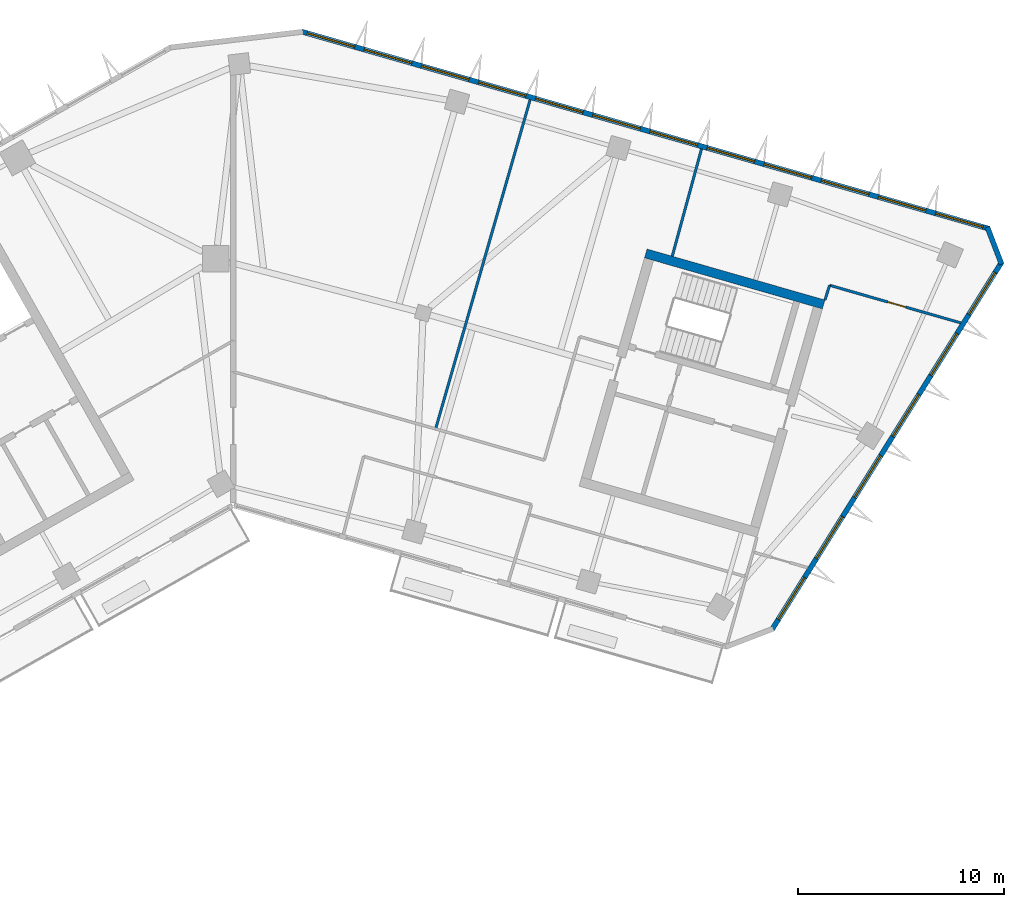
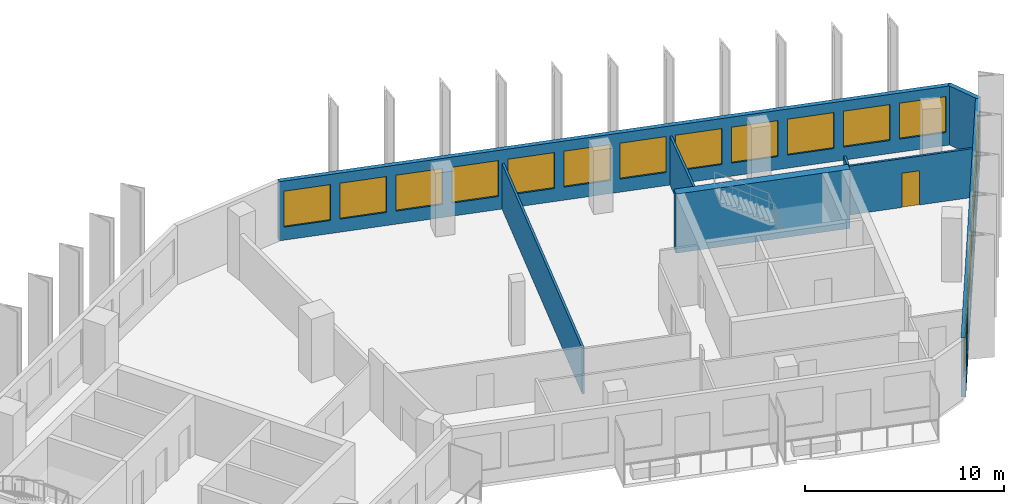
# One storey, part 8 of 12: 18 windows, 8 walls, 1 door, 19 openings.
"""IFC4 building model written with IfcOpenShell, lengths in metres."""

import ifcopenshell
import ifcopenshell.guid

model = None  # the IFC model being written
_history = None  # IfcOwnerHistory: only IFC2X3 demands one
_inside = {}  # id of a spatial element -> (the spatial element, [elements in it])
_under = {}  # id of a project, library or spatial element -> (it, [spatial elements below it])
_declared = {}  # id of a project -> (the project, [libraries it declares])
_typed = {}  # id of a type object -> (the type object, [elements of that type])
_made_of = {}  # id of a material, layer set ... -> (it, [elements and type objects made of it])


def new_model(schema):
    """Start an empty IFC model of exactly this schema.

    Asked for "IFC4X3", IfcOpenShell would pick the latest addendum, in which some entities
    have other attributes; the version numbers below select the first issue.
    IFC2X3 requires an IfcOwnerHistory on every rooted entity: one is made here for all.
    """
    global model, _history
    if schema == "IFC4X3":
        model = ifcopenshell.file(schema_version=(4, 3, 0, 0))
    else:
        model = ifcopenshell.file(schema=schema)
    _inside.clear()
    _under.clear()
    _declared.clear()
    _typed.clear()
    _made_of.clear()
    _history = None
    if model.schema == "IFC2X3":
        org = make("IfcOrganization", Name="unknown")
        user = make(
            "IfcPersonAndOrganization",
            ThePerson=make("IfcPerson", FamilyName="unknown"),
            TheOrganization=org,
        )
        app = make(
            "IfcApplication",
            ApplicationDeveloper=org,
            Version="unknown",
            ApplicationFullName="unknown",
            ApplicationIdentifier="unknown",
        )
        _history = make(
            "IfcOwnerHistory",
            OwningUser=user,
            OwningApplication=app,
            ChangeAction="ADDED",
            CreationDate=0,
        )
    return model


def make(cls, **values):
    """One entity of the class cls with the attributes given. An attribute that is None is left unset."""
    return model.create_entity(
        cls, **{name: value for name, value in values.items() if value is not None}
    )


def rooted(cls, **values):
    """An entity with a GlobalId (a new one), such as an element, a storey or a relation."""
    return make(cls, GlobalId=ifcopenshell.guid.new(), OwnerHistory=_history, **values)


def si_unit(unit_type, name, prefix=None):
    """IfcSIUnit, for example si_unit("LENGTHUNIT", "METRE", prefix="MILLI")."""
    return make("IfcSIUnit", UnitType=unit_type, Prefix=prefix, Name=name)


def assignment(units):
    """IfcUnitAssignment: the units of a project."""
    return None if units is None else make("IfcUnitAssignment", Units=units)


def point(xyz):
    """IfcCartesianPoint."""
    return None if xyz is None else make("IfcCartesianPoint", Coordinates=xyz)


def direction(xyz):
    """IfcDirection."""
    return None if xyz is None else make("IfcDirection", DirectionRatios=xyz)


def frame(location, z_axis=None, x_axis=None):
    """IfcAxis2Placement3D, a coordinate frame: its origin and axes. An axis left out is left unset."""
    return make(
        "IfcAxis2Placement3D",
        Location=point(location),
        Axis=direction(z_axis),
        RefDirection=direction(x_axis),
    )


def frame_2d(location, x_axis=None):
    """IfcAxis2Placement2D, a coordinate frame in the plane: its origin and x axis."""
    return make(
        "IfcAxis2Placement2D", Location=point(location), RefDirection=direction(x_axis)
    )


def origin():
    """The frame at (0, 0, 0) with its axes left unset."""
    return frame((0.0, 0.0, 0.0))


def place(relative_to, where):
    """IfcLocalPlacement: puts the frame where relative to a parent placement (None: the world)."""
    return make(
        "IfcLocalPlacement", PlacementRelTo=relative_to, RelativePlacement=where
    )


def context(
    kind, dimensions, precision=None, world=None, true_north=None, identifier=None
):
    """IfcGeometricRepresentationContext, for example the 3D "Model" context."""
    return make(
        "IfcGeometricRepresentationContext",
        ContextIdentifier=identifier,
        ContextType=kind,
        CoordinateSpaceDimension=dimensions,
        Precision=precision,
        WorldCoordinateSystem=world,
        TrueNorth=true_north,
    )


def subcontext(parent, identifier, kind, view, scale=None):
    """IfcGeometricRepresentationSubContext, for example "Body" below "Model"."""
    return make(
        "IfcGeometricRepresentationSubContext",
        ContextIdentifier=identifier,
        ContextType=kind,
        ParentContext=parent,
        TargetScale=scale,
        TargetView=view,
    )


def project(units=None, contexts=None):
    """IfcProject with its units and contexts."""
    return rooted(
        "IfcProject",
        Name="project",
        RepresentationContexts=contexts,
        UnitsInContext=assignment(units),
    )


def spatial(cls, under=None, at=None, **own):
    """A site, building, storey or space (cls), placed at a placement, below another one or the project."""
    s = rooted(cls, ObjectPlacement=at, **own)
    if under is not None:
        _under.setdefault(under.id(), (under, []))[1].append(s)
    return s


def profile(cls, at=None, kind="AREA", **sizes):
    """A parametric profile (cls). Its sizes go by their IFC names, for example OverallWidth=200.0."""
    return make(cls, ProfileType=kind, Position=at, **sizes)


def rectangle(**sizes):
    """IfcRectangleProfileDef."""
    return profile("IfcRectangleProfileDef", **sizes)


def extrude(swept, where, along, depth):
    """IfcExtrudedAreaSolid: the profile swept, set in the frame where, extruded along a direction by depth."""
    return make(
        "IfcExtrudedAreaSolid",
        SweptArea=swept,
        Position=where,
        ExtrudedDirection=direction(along),
        Depth=depth,
    )


def shape(context_of_items, identifier, shape_type, items):
    """IfcShapeRepresentation: the items that make up one representation, for example the "Body"."""
    return make(
        "IfcShapeRepresentation",
        ContextOfItems=context_of_items,
        RepresentationIdentifier=identifier,
        RepresentationType=shape_type,
        Items=items,
    )


def material(Name=None, Category=None):
    """IfcMaterial."""
    return make("IfcMaterial", Name=Name, Category=Category)


def layer(
    of_material, thickness, ventilated=None, Name=None, Category=None, Priority=None
):
    """IfcMaterialLayer: one layer of a wall or slab, of a material (None: an air gap)."""
    return make(
        "IfcMaterialLayer",
        Material=of_material,
        LayerThickness=thickness,
        IsVentilated=ventilated,
        Name=Name,
        Category=Category,
        Priority=Priority,
    )


def layer_set(layers, Name=None):
    """IfcMaterialLayerSet."""
    return make("IfcMaterialLayerSet", MaterialLayers=layers, LayerSetName=Name)


def made_of(thing, what):
    """Note that an element or type object is made of a material, layer set ...; save() writes the relation."""
    if what is not None:
        _made_of.setdefault(what.id(), (what, []))[1].append(thing)
    return thing


def type_object(cls, material=None, **own):
    """A type object (cls), such as IfcWallType, which elements share."""
    return made_of(rooted(cls, **own), material)


def element(
    cls,
    number,
    at=None,
    inside=None,
    cuts=None,
    type_object=None,
    material=None,
    context=None,
    identifier="Body",
    shape_type=None,
    held_by="IfcProductDefinitionShape",
    body=None,
    shapes=None,
    **own,
):
    """One element of the class cls, such as IfcWall. Its Tag is "e" and its number.

    at: its placement. inside: the storey or other place that contains it. cuts: it is an
    opening in that element (IfcRelVoidsElement). A single representation is given by context,
    identifier, shape_type and body (its items); several are given by shapes. held_by: the class
    of the entity that holds the representations. save() writes the other relations.
    """
    e = rooted(cls, Tag="e%d" % number, ObjectPlacement=at, **own)
    if body is not None:
        shapes = [shape(context, identifier, shape_type, body)]
    if shapes is not None:
        e.Representation = make(held_by, Representations=shapes)
    if inside is not None:
        _inside.setdefault(inside.id(), (inside, []))[1].append(e)
    if cuts is not None:
        rooted(
            "IfcRelVoidsElement", RelatingBuildingElement=cuts, RelatedOpeningElement=e
        )
    if type_object is not None:
        _typed.setdefault(type_object.id(), (type_object, []))[1].append(e)
    return made_of(e, material)


def fill(opening, filler):
    """IfcRelFillsElement: the door or window that sits in an opening."""
    return rooted(
        "IfcRelFillsElement",
        RelatingOpeningElement=opening,
        RelatedBuildingElement=filler,
    )


def aggregate(whole, parts):
    """IfcRelAggregates: a whole, such as a stair, and the parts it consists of."""
    return rooted("IfcRelAggregates", RelatingObject=whole, RelatedObjects=parts)


def save(model, path):
    """Write the relations noted so far, then the file.

    IfcRelAggregates (storeys below a building ...), IfcRelContainedInSpatialStructure (elements
    in a storey), IfcRelDefinesByType, IfcRelAssociatesMaterial and IfcRelDeclares: one each for
    every whole, place, type object, material and project.
    """
    for whole, parts in _under.values():
        aggregate(whole, parts)
    for where, things in _inside.values():
        rooted(
            "IfcRelContainedInSpatialStructure",
            RelatedElements=things,
            RelatingStructure=where,
        )
    for kind, things in _typed.values():
        rooted("IfcRelDefinesByType", RelatedObjects=things, RelatingType=kind)
    for what, things in _made_of.values():
        rooted("IfcRelAssociatesMaterial", RelatedObjects=things, RelatingMaterial=what)
    for by, libraries in _declared.values():
        rooted("IfcRelDeclares", RelatingContext=by, RelatedDefinitions=libraries)
    model.write(path)


model = new_model("IFC4")

# Units and contexts
model_context = context("Model", 3, precision=1e-05, world=origin(), true_north=direction((0.0, 1.0)))
body_context = subcontext(model_context, "Body", "Model", "MODEL_VIEW")
ifc_project = project(units=[si_unit("LENGTHUNIT", "METRE"), si_unit("AREAUNIT", "SQUARE_METRE"), si_unit("VOLUMEUNIT", "CUBIC_METRE"), si_unit("PLANEANGLEUNIT", "RADIAN"), si_unit("MASSUNIT", "GRAM", prefix="KILO")], contexts=[model_context])

# Site, building, storey
site_placement = place(None, origin())
site = spatial("IfcSite", under=ifc_project, at=site_placement, CompositionType="ELEMENT")
building_placement = place(site_placement, origin())
building = spatial("IfcBuilding", under=site, at=building_placement, Name="Binnacle Exchange Tower", CompositionType="ELEMENT")
storey_placement = place(building_placement, frame((0.0, 0.0, 246.5)))
storey = spatial("IfcBuildingStorey", under=building, at=storey_placement, Name="L54", CompositionType="ELEMENT", Elevation=246.5)

# Wall
ifc_material_1 = material(Name="Concrete C70/85", Category="concrete")
ifc_layer_1 = layer(ifc_material_1, 0.449951171875)
ifc_layer_set_1 = layer_set([ifc_layer_1], Name="Core wall - outer 450")
wall_type_1 = type_object("IfcWallType", Name="Core wall - outer 450", PredefinedType="SOLIDWALL", material=ifc_layer_set_1)
wall_1_placement = place(storey_placement, frame((20.073486328125, 60.251708984375, 0.0), z_axis=(0.0, 0.0, 1.0), x_axis=(0.96126248289, -0.275634611374, 0.0)))
element("IfcWall", 1, at=wall_1_placement, inside=storey, type_object=wall_type_1, Name="Core wall CRWD6", PredefinedType="SOLIDWALL", context=body_context, shape_type="SweptSolid", body=[
    extrude(rectangle(XDim=9.0, YDim=0.449951171875, at=frame_2d((4.5, 0.0))), origin(), (0.0, 0.0, 1.0), 3.6201171875),
])

# Wall, openings, windows
ifc_material_2 = material(Name="Bronze aluminium cladding", Category="aluminium")
ifc_layer_2 = layer(ifc_material_2, 0.25)
ifc_layer_set_2 = layer_set([ifc_layer_2], Name="External wall - window wall 250")
wall_type_2 = type_object("IfcWallType", Name="External wall - window wall 250", PredefinedType="STANDARD", material=ifc_layer_set_2)
wall_2_placement = place(storey_placement, frame((37.392333984375, 59.84033203125, 0.0), z_axis=(0.0, 0.0, 1.0), x_axis=(-0.529919909431, -0.848047692992, 0.0)))
wall_2 = element("IfcWall", 2, at=wall_2_placement, inside=storey, type_object=wall_type_2, Name="External wall EW-G04 L54", PredefinedType="STANDARD", context=body_context, shape_type="SweptSolid", body=[
    extrude(rectangle(XDim=21.104248046875, YDim=0.25, at=frame_2d((10.55224609375, 0.0))), origin(), (0.0, 0.0, 1.0), 3.6201171875),
])
opening_1_placement = place(wall_2_placement, frame((18.1123046875, 0.0, 0.800048828125)))
opening_1 = element("IfcOpeningElement", 3, at=opening_1_placement, cuts=wall_2, Name="Opening WR1", PredefinedType="OPENING", context=body_context, shape_type="SweptSolid", body=[
    extrude(rectangle(XDim=2.39990234375, YDim=2.199951171875, at=frame_2d((1.199951171875, 1.10009765625))), frame((0.0, 0.135009765625, 0.0), z_axis=(0.0, -1.0, 0.0), x_axis=(1.0, 0.0, 0.0)), (0.0, 0.0, 1.0), 0.27001953125),
])
opening_2_placement = place(wall_2_placement, frame((14.6123046875, 0.0, 0.800048828125)))
opening_2 = element("IfcOpeningElement", 4, at=opening_2_placement, cuts=wall_2, Name="Opening WR1", PredefinedType="OPENING", context=body_context, shape_type="SweptSolid", body=[
    extrude(rectangle(XDim=2.39990234375, YDim=2.199951171875, at=frame_2d((1.199951171875, 1.10009765625))), frame((0.0, 0.135009765625, 0.0), z_axis=(0.0, -1.0, 0.0), x_axis=(1.0, 0.0, 0.0)), (0.0, 0.0, 1.0), 0.27001953125),
])
opening_3_placement = place(wall_2_placement, frame((11.1123046875, 0.0, 0.800048828125)))
opening_3 = element("IfcOpeningElement", 5, at=opening_3_placement, cuts=wall_2, Name="Opening WR1", PredefinedType="OPENING", context=body_context, shape_type="SweptSolid", body=[
    extrude(rectangle(XDim=2.39990234375, YDim=2.199951171875, at=frame_2d((1.199951171875, 1.10009765625))), frame((0.0, 0.135009765625, 0.0), z_axis=(0.0, -1.0, 0.0), x_axis=(1.0, 0.0, 0.0)), (0.0, 0.0, 1.0), 0.27001953125),
])
opening_4_placement = place(wall_2_placement, frame((7.6123046875, 0.0, 0.800048828125)))
opening_4 = element("IfcOpeningElement", 6, at=opening_4_placement, cuts=wall_2, Name="Opening WR1", PredefinedType="OPENING", context=body_context, shape_type="SweptSolid", body=[
    extrude(rectangle(XDim=2.39990234375, YDim=2.199951171875, at=frame_2d((1.199951171875, 1.10009765625))), frame((0.0, 0.135009765625, 0.0), z_axis=(0.0, -1.0, 0.0), x_axis=(1.0, 0.0, 0.0)), (0.0, 0.0, 1.0), 0.27001953125),
])
opening_5_placement = place(wall_2_placement, frame((4.1123046875, 0.0, 0.800048828125)))
opening_5 = element("IfcOpeningElement", 7, at=opening_5_placement, cuts=wall_2, Name="Opening WR1", PredefinedType="OPENING", context=body_context, shape_type="SweptSolid", body=[
    extrude(rectangle(XDim=2.39990234375, YDim=2.199951171875, at=frame_2d((1.199951171875, 1.10009765625))), frame((0.0, 0.135009765625, 0.0), z_axis=(0.0, -1.0, 0.0), x_axis=(1.0, 0.0, 0.0)), (0.0, 0.0, 1.0), 0.27001953125),
])
opening_6_placement = place(wall_2_placement, frame((0.6123046875, 0.0, 0.800048828125)))
opening_6 = element("IfcOpeningElement", 8, at=opening_6_placement, cuts=wall_2, Name="Opening WR1", PredefinedType="OPENING", context=body_context, shape_type="SweptSolid", body=[
    extrude(rectangle(XDim=2.39990234375, YDim=2.199951171875, at=frame_2d((1.199951171875, 1.10009765625))), frame((0.0, 0.135009765625, 0.0), z_axis=(0.0, -1.0, 0.0), x_axis=(1.0, 0.0, 0.0)), (0.0, 0.0, 1.0), 0.27001953125),
])
ifc_material_3 = material(Name="Bronze anodised aluminium frame", Category="aluminium")
window_type = type_object("IfcWindowType", Name="WR1 WINDOW 2400x2200", PartitioningType="SINGLE_PANEL", PredefinedType="WINDOW", material=ifc_material_3)
window_1_placement = place(opening_1_placement, origin())
window_1 = element("IfcWindow", 9, at=window_1_placement, inside=storey, type_object=window_type, Name="Window WR1 L54", OverallHeight=2.199951171875, OverallWidth=2.39990234375, PartitioningType="SINGLE_PANEL", PredefinedType="WINDOW", context=body_context, shape_type="SweptSolid", body=[
    extrude(rectangle(XDim=2.39990234375, YDim=2.199951171875, at=frame_2d((1.199951171875, 1.10009765625))), frame((0.0, 0.030029296875, 0.0), z_axis=(0.0, -1.0, 0.0), x_axis=(1.0, 0.0, 0.0)), (0.0, 0.0, 1.0), 0.06005859375),
])
fill(opening_1, window_1)
window_2_placement = place(opening_2_placement, origin())
window_2 = element("IfcWindow", 10, at=window_2_placement, inside=storey, type_object=window_type, Name="Window WR1 L54", OverallHeight=2.199951171875, OverallWidth=2.39990234375, PartitioningType="SINGLE_PANEL", PredefinedType="WINDOW", context=body_context, shape_type="SweptSolid", body=[
    extrude(rectangle(XDim=2.39990234375, YDim=2.199951171875, at=frame_2d((1.199951171875, 1.10009765625))), frame((0.0, 0.030029296875, 0.0), z_axis=(0.0, -1.0, 0.0), x_axis=(1.0, 0.0, 0.0)), (0.0, 0.0, 1.0), 0.06005859375),
])
fill(opening_2, window_2)
window_3_placement = place(opening_3_placement, origin())
window_3 = element("IfcWindow", 11, at=window_3_placement, inside=storey, type_object=window_type, Name="Window WR1 L54", OverallHeight=2.199951171875, OverallWidth=2.39990234375, PartitioningType="SINGLE_PANEL", PredefinedType="WINDOW", context=body_context, shape_type="SweptSolid", body=[
    extrude(rectangle(XDim=2.39990234375, YDim=2.199951171875, at=frame_2d((1.199951171875, 1.10009765625))), frame((0.0, 0.030029296875, 0.0), z_axis=(0.0, -1.0, 0.0), x_axis=(1.0, 0.0, 0.0)), (0.0, 0.0, 1.0), 0.06005859375),
])
fill(opening_3, window_3)
window_4_placement = place(opening_4_placement, origin())
window_4 = element("IfcWindow", 12, at=window_4_placement, inside=storey, type_object=window_type, Name="Window WR1 L54", OverallHeight=2.199951171875, OverallWidth=2.39990234375, PartitioningType="SINGLE_PANEL", PredefinedType="WINDOW", context=body_context, shape_type="SweptSolid", body=[
    extrude(rectangle(XDim=2.39990234375, YDim=2.199951171875, at=frame_2d((1.199951171875, 1.10009765625))), frame((0.0, 0.030029296875, 0.0), z_axis=(0.0, -1.0, 0.0), x_axis=(1.0, 0.0, 0.0)), (0.0, 0.0, 1.0), 0.06005859375),
])
fill(opening_4, window_4)
window_5_placement = place(opening_5_placement, origin())
window_5 = element("IfcWindow", 13, at=window_5_placement, inside=storey, type_object=window_type, Name="Window WR1 L54", OverallHeight=2.199951171875, OverallWidth=2.39990234375, PartitioningType="SINGLE_PANEL", PredefinedType="WINDOW", context=body_context, shape_type="SweptSolid", body=[
    extrude(rectangle(XDim=2.39990234375, YDim=2.199951171875, at=frame_2d((1.199951171875, 1.10009765625))), frame((0.0, 0.030029296875, 0.0), z_axis=(0.0, -1.0, 0.0), x_axis=(1.0, 0.0, 0.0)), (0.0, 0.0, 1.0), 0.06005859375),
])
fill(opening_5, window_5)
window_6_placement = place(opening_6_placement, origin())
window_6 = element("IfcWindow", 14, at=window_6_placement, inside=storey, type_object=window_type, Name="Window WR1 L54", OverallHeight=2.199951171875, OverallWidth=2.39990234375, PartitioningType="SINGLE_PANEL", PredefinedType="WINDOW", context=body_context, shape_type="SweptSolid", body=[
    extrude(rectangle(XDim=2.39990234375, YDim=2.199951171875, at=frame_2d((1.199951171875, 1.10009765625))), frame((0.0, 0.030029296875, 0.0), z_axis=(0.0, -1.0, 0.0), x_axis=(1.0, 0.0, 0.0)), (0.0, 0.0, 1.0), 0.06005859375),
])
fill(opening_6, window_6)

# Wall
wall_3_placement = place(storey_placement, frame((36.68994140625, 61.531005859375, 0.0), z_axis=(0.0, 0.0, 1.0), x_axis=(0.358377147136, -0.933576895821, 0.0)))
element("IfcWall", 15, at=wall_3_placement, inside=storey, type_object=wall_type_2, Name="External wall EW-G05 L54", PredefinedType="STANDARD", context=body_context, shape_type="SweptSolid", body=[
    extrude(rectangle(XDim=1.929931640625, YDim=0.25, at=frame_2d((0.96484375, 0.0))), origin(), (0.0, 0.0, 1.0), 3.6201171875),
])

# Wall, openings, windows
wall_4_placement = place(storey_placement, frame((3.34033203125, 71.042236328125, 0.0), z_axis=(0.0, 0.0, 1.0), x_axis=(0.96126179431, -0.275637012753, 0.0)))
wall_4 = element("IfcWall", 16, at=wall_4_placement, inside=storey, type_object=wall_type_2, Name="External wall EW-G06 L54", PredefinedType="STANDARD", context=body_context, shape_type="SweptSolid", body=[
    extrude(rectangle(XDim=34.779052734375, YDim=0.25, at=frame_2d((17.3896484375, 0.0))), origin(), (0.0, 0.0, 1.0), 3.6201171875),
])
opening_7_placement = place(wall_4_placement, frame((32.0712890625, 0.0, 0.800048828125)))
opening_7 = element("IfcOpeningElement", 17, at=opening_7_placement, cuts=wall_4, Name="Opening WR1", PredefinedType="OPENING", context=body_context, shape_type="SweptSolid", body=[
    extrude(rectangle(XDim=2.39990234375, YDim=2.199951171875, at=frame_2d((1.199951171875, 1.10009765625))), frame((0.0, 0.135009765625, 0.0), z_axis=(0.0, -1.0, 0.0), x_axis=(1.0, 0.0, 0.0)), (0.0, 0.0, 1.0), 0.27001953125),
])
opening_8_placement = place(wall_4_placement, frame((29.180419921875, 0.0, 0.800048828125)))
opening_8 = element("IfcOpeningElement", 18, at=opening_8_placement, cuts=wall_4, Name="Opening WR1", PredefinedType="OPENING", context=body_context, shape_type="SweptSolid", body=[
    extrude(rectangle(XDim=2.39990234375, YDim=2.199951171875, at=frame_2d((1.199951171875, 1.10009765625))), frame((0.0, 0.135009765625, 0.0), z_axis=(0.0, -1.0, 0.0), x_axis=(1.0, 0.0, 0.0)), (0.0, 0.0, 1.0), 0.27001953125),
])
opening_9_placement = place(wall_4_placement, frame((26.289306640625, 0.0, 0.800048828125)))
opening_9 = element("IfcOpeningElement", 19, at=opening_9_placement, cuts=wall_4, Name="Opening WR1", PredefinedType="OPENING", context=body_context, shape_type="SweptSolid", body=[
    extrude(rectangle(XDim=2.39990234375, YDim=2.199951171875, at=frame_2d((1.199951171875, 1.10009765625))), frame((0.0, 0.135009765625, 0.0), z_axis=(0.0, -1.0, 0.0), x_axis=(1.0, 0.0, 0.0)), (0.0, 0.0, 1.0), 0.27001953125),
])
opening_10_placement = place(wall_4_placement, frame((23.3984375, 0.0, 0.800048828125)))
opening_10 = element("IfcOpeningElement", 20, at=opening_10_placement, cuts=wall_4, Name="Opening WR1", PredefinedType="OPENING", context=body_context, shape_type="SweptSolid", body=[
    extrude(rectangle(XDim=2.39990234375, YDim=2.199951171875, at=frame_2d((1.199951171875, 1.10009765625))), frame((0.0, 0.135009765625, 0.0), z_axis=(0.0, -1.0, 0.0), x_axis=(1.0, 0.0, 0.0)), (0.0, 0.0, 1.0), 0.27001953125),
])
opening_11_placement = place(wall_4_placement, frame((20.507568359375, 0.0, 0.800048828125)))
opening_11 = element("IfcOpeningElement", 21, at=opening_11_placement, cuts=wall_4, Name="Opening WR1", PredefinedType="OPENING", context=body_context, shape_type="SweptSolid", body=[
    extrude(rectangle(XDim=2.39990234375, YDim=2.199951171875, at=frame_2d((1.199951171875, 1.10009765625))), frame((0.0, 0.135009765625, 0.0), z_axis=(0.0, -1.0, 0.0), x_axis=(1.0, 0.0, 0.0)), (0.0, 0.0, 1.0), 0.27001953125),
])
opening_12_placement = place(wall_4_placement, frame((17.616455078125, 0.0, 0.800048828125)))
opening_12 = element("IfcOpeningElement", 22, at=opening_12_placement, cuts=wall_4, Name="Opening WR1", PredefinedType="OPENING", context=body_context, shape_type="SweptSolid", body=[
    extrude(rectangle(XDim=2.39990234375, YDim=2.199951171875, at=frame_2d((1.199951171875, 1.10009765625))), frame((0.0, 0.135009765625, 0.0), z_axis=(0.0, -1.0, 0.0), x_axis=(1.0, 0.0, 0.0)), (0.0, 0.0, 1.0), 0.27001953125),
])
opening_13_placement = place(wall_4_placement, frame((14.7255859375, 0.0, 0.800048828125)))
opening_13 = element("IfcOpeningElement", 23, at=opening_13_placement, cuts=wall_4, Name="Opening WR1", PredefinedType="OPENING", context=body_context, shape_type="SweptSolid", body=[
    extrude(rectangle(XDim=2.39990234375, YDim=2.199951171875, at=frame_2d((1.199951171875, 1.10009765625))), frame((0.0, 0.135009765625, 0.0), z_axis=(0.0, -1.0, 0.0), x_axis=(1.0, 0.0, 0.0)), (0.0, 0.0, 1.0), 0.27001953125),
])
opening_14_placement = place(wall_4_placement, frame((11.83447265625, 0.0, 0.800048828125)))
opening_14 = element("IfcOpeningElement", 24, at=opening_14_placement, cuts=wall_4, Name="Opening WR1", PredefinedType="OPENING", context=body_context, shape_type="SweptSolid", body=[
    extrude(rectangle(XDim=2.39990234375, YDim=2.199951171875, at=frame_2d((1.199951171875, 1.10009765625))), frame((0.0, 0.135009765625, 0.0), z_axis=(0.0, -1.0, 0.0), x_axis=(1.0, 0.0, 0.0)), (0.0, 0.0, 1.0), 0.27001953125),
])
opening_15_placement = place(wall_4_placement, frame((8.943603515625, 0.0, 0.800048828125)))
opening_15 = element("IfcOpeningElement", 25, at=opening_15_placement, cuts=wall_4, Name="Opening WR1", PredefinedType="OPENING", context=body_context, shape_type="SweptSolid", body=[
    extrude(rectangle(XDim=2.39990234375, YDim=2.199951171875, at=frame_2d((1.199951171875, 1.10009765625))), frame((0.0, 0.135009765625, 0.0), z_axis=(0.0, -1.0, 0.0), x_axis=(1.0, 0.0, 0.0)), (0.0, 0.0, 1.0), 0.27001953125),
])
opening_16_placement = place(wall_4_placement, frame((6.052490234375, 0.0, 0.800048828125)))
opening_16 = element("IfcOpeningElement", 26, at=opening_16_placement, cuts=wall_4, Name="Opening WR1", PredefinedType="OPENING", context=body_context, shape_type="SweptSolid", body=[
    extrude(rectangle(XDim=2.39990234375, YDim=2.199951171875, at=frame_2d((1.199951171875, 1.10009765625))), frame((0.0, 0.135009765625, 0.0), z_axis=(0.0, -1.0, 0.0), x_axis=(1.0, 0.0, 0.0)), (0.0, 0.0, 1.0), 0.27001953125),
])
opening_17_placement = place(wall_4_placement, frame((3.16162109375, 0.0, 0.800048828125)))
opening_17 = element("IfcOpeningElement", 27, at=opening_17_placement, cuts=wall_4, Name="Opening WR1", PredefinedType="OPENING", context=body_context, shape_type="SweptSolid", body=[
    extrude(rectangle(XDim=2.39990234375, YDim=2.199951171875, at=frame_2d((1.199951171875, 1.10009765625))), frame((0.0, 0.135009765625, 0.0), z_axis=(0.0, -1.0, 0.0), x_axis=(1.0, 0.0, 0.0)), (0.0, 0.0, 1.0), 0.27001953125),
])
opening_18_placement = place(wall_4_placement, frame((0.2705078125, 0.0, 0.800048828125)))
opening_18 = element("IfcOpeningElement", 28, at=opening_18_placement, cuts=wall_4, Name="Opening WR1", PredefinedType="OPENING", context=body_context, shape_type="SweptSolid", body=[
    extrude(rectangle(XDim=2.39990234375, YDim=2.199951171875, at=frame_2d((1.199951171875, 1.10009765625))), frame((0.0, 0.135009765625, 0.0), z_axis=(0.0, -1.0, 0.0), x_axis=(1.0, 0.0, 0.0)), (0.0, 0.0, 1.0), 0.27001953125),
])
window_7_placement = place(opening_7_placement, origin())
window_7 = element("IfcWindow", 29, at=window_7_placement, inside=storey, type_object=window_type, Name="Window WR1 L54", OverallHeight=2.199951171875, OverallWidth=2.39990234375, PartitioningType="SINGLE_PANEL", PredefinedType="WINDOW", context=body_context, shape_type="SweptSolid", body=[
    extrude(rectangle(XDim=2.39990234375, YDim=2.199951171875, at=frame_2d((1.199951171875, 1.10009765625))), frame((0.0, 0.030029296875, 0.0), z_axis=(0.0, -1.0, 0.0), x_axis=(1.0, 0.0, 0.0)), (0.0, 0.0, 1.0), 0.06005859375),
])
fill(opening_7, window_7)
window_8_placement = place(opening_8_placement, origin())
window_8 = element("IfcWindow", 30, at=window_8_placement, inside=storey, type_object=window_type, Name="Window WR1 L54", OverallHeight=2.199951171875, OverallWidth=2.39990234375, PartitioningType="SINGLE_PANEL", PredefinedType="WINDOW", context=body_context, shape_type="SweptSolid", body=[
    extrude(rectangle(XDim=2.39990234375, YDim=2.199951171875, at=frame_2d((1.199951171875, 1.10009765625))), frame((0.0, 0.030029296875, 0.0), z_axis=(0.0, -1.0, 0.0), x_axis=(1.0, 0.0, 0.0)), (0.0, 0.0, 1.0), 0.06005859375),
])
fill(opening_8, window_8)
window_9_placement = place(opening_9_placement, origin())
window_9 = element("IfcWindow", 31, at=window_9_placement, inside=storey, type_object=window_type, Name="Window WR1 L54", OverallHeight=2.199951171875, OverallWidth=2.39990234375, PartitioningType="SINGLE_PANEL", PredefinedType="WINDOW", context=body_context, shape_type="SweptSolid", body=[
    extrude(rectangle(XDim=2.39990234375, YDim=2.199951171875, at=frame_2d((1.199951171875, 1.10009765625))), frame((0.0, 0.030029296875, 0.0), z_axis=(0.0, -1.0, 0.0), x_axis=(1.0, 0.0, 0.0)), (0.0, 0.0, 1.0), 0.06005859375),
])
fill(opening_9, window_9)
window_10_placement = place(opening_10_placement, origin())
window_10 = element("IfcWindow", 32, at=window_10_placement, inside=storey, type_object=window_type, Name="Window WR1 L54", OverallHeight=2.199951171875, OverallWidth=2.39990234375, PartitioningType="SINGLE_PANEL", PredefinedType="WINDOW", context=body_context, shape_type="SweptSolid", body=[
    extrude(rectangle(XDim=2.39990234375, YDim=2.199951171875, at=frame_2d((1.199951171875, 1.10009765625))), frame((0.0, 0.030029296875, 0.0), z_axis=(0.0, -1.0, 0.0), x_axis=(1.0, 0.0, 0.0)), (0.0, 0.0, 1.0), 0.06005859375),
])
fill(opening_10, window_10)
window_11_placement = place(opening_11_placement, origin())
window_11 = element("IfcWindow", 33, at=window_11_placement, inside=storey, type_object=window_type, Name="Window WR1 L54", OverallHeight=2.199951171875, OverallWidth=2.39990234375, PartitioningType="SINGLE_PANEL", PredefinedType="WINDOW", context=body_context, shape_type="SweptSolid", body=[
    extrude(rectangle(XDim=2.39990234375, YDim=2.199951171875, at=frame_2d((1.199951171875, 1.10009765625))), frame((0.0, 0.030029296875, 0.0), z_axis=(0.0, -1.0, 0.0), x_axis=(1.0, 0.0, 0.0)), (0.0, 0.0, 1.0), 0.06005859375),
])
fill(opening_11, window_11)
window_12_placement = place(opening_12_placement, origin())
window_12 = element("IfcWindow", 34, at=window_12_placement, inside=storey, type_object=window_type, Name="Window WR1 L54", OverallHeight=2.199951171875, OverallWidth=2.39990234375, PartitioningType="SINGLE_PANEL", PredefinedType="WINDOW", context=body_context, shape_type="SweptSolid", body=[
    extrude(rectangle(XDim=2.39990234375, YDim=2.199951171875, at=frame_2d((1.199951171875, 1.10009765625))), frame((0.0, 0.030029296875, 0.0), z_axis=(0.0, -1.0, 0.0), x_axis=(1.0, 0.0, 0.0)), (0.0, 0.0, 1.0), 0.06005859375),
])
fill(opening_12, window_12)
window_13_placement = place(opening_13_placement, origin())
window_13 = element("IfcWindow", 35, at=window_13_placement, inside=storey, type_object=window_type, Name="Window WR1 L54", OverallHeight=2.199951171875, OverallWidth=2.39990234375, PartitioningType="SINGLE_PANEL", PredefinedType="WINDOW", context=body_context, shape_type="SweptSolid", body=[
    extrude(rectangle(XDim=2.39990234375, YDim=2.199951171875, at=frame_2d((1.199951171875, 1.10009765625))), frame((0.0, 0.030029296875, 0.0), z_axis=(0.0, -1.0, 0.0), x_axis=(1.0, 0.0, 0.0)), (0.0, 0.0, 1.0), 0.06005859375),
])
fill(opening_13, window_13)
window_14_placement = place(opening_14_placement, origin())
window_14 = element("IfcWindow", 36, at=window_14_placement, inside=storey, type_object=window_type, Name="Window WR1 L54", OverallHeight=2.199951171875, OverallWidth=2.39990234375, PartitioningType="SINGLE_PANEL", PredefinedType="WINDOW", context=body_context, shape_type="SweptSolid", body=[
    extrude(rectangle(XDim=2.39990234375, YDim=2.199951171875, at=frame_2d((1.199951171875, 1.10009765625))), frame((0.0, 0.030029296875, 0.0), z_axis=(0.0, -1.0, 0.0), x_axis=(1.0, 0.0, 0.0)), (0.0, 0.0, 1.0), 0.06005859375),
])
fill(opening_14, window_14)
window_15_placement = place(opening_15_placement, origin())
window_15 = element("IfcWindow", 37, at=window_15_placement, inside=storey, type_object=window_type, Name="Window WR1 L54", OverallHeight=2.199951171875, OverallWidth=2.39990234375, PartitioningType="SINGLE_PANEL", PredefinedType="WINDOW", context=body_context, shape_type="SweptSolid", body=[
    extrude(rectangle(XDim=2.39990234375, YDim=2.199951171875, at=frame_2d((1.199951171875, 1.10009765625))), frame((0.0, 0.030029296875, 0.0), z_axis=(0.0, -1.0, 0.0), x_axis=(1.0, 0.0, 0.0)), (0.0, 0.0, 1.0), 0.06005859375),
])
fill(opening_15, window_15)
window_16_placement = place(opening_16_placement, origin())
window_16 = element("IfcWindow", 38, at=window_16_placement, inside=storey, type_object=window_type, Name="Window WR1 L54", OverallHeight=2.199951171875, OverallWidth=2.39990234375, PartitioningType="SINGLE_PANEL", PredefinedType="WINDOW", context=body_context, shape_type="SweptSolid", body=[
    extrude(rectangle(XDim=2.39990234375, YDim=2.199951171875, at=frame_2d((1.199951171875, 1.10009765625))), frame((0.0, 0.030029296875, 0.0), z_axis=(0.0, -1.0, 0.0), x_axis=(1.0, 0.0, 0.0)), (0.0, 0.0, 1.0), 0.06005859375),
])
fill(opening_16, window_16)
window_17_placement = place(opening_17_placement, origin())
window_17 = element("IfcWindow", 39, at=window_17_placement, inside=storey, type_object=window_type, Name="Window WR1 L54", OverallHeight=2.199951171875, OverallWidth=2.39990234375, PartitioningType="SINGLE_PANEL", PredefinedType="WINDOW", context=body_context, shape_type="SweptSolid", body=[
    extrude(rectangle(XDim=2.39990234375, YDim=2.199951171875, at=frame_2d((1.199951171875, 1.10009765625))), frame((0.0, 0.030029296875, 0.0), z_axis=(0.0, -1.0, 0.0), x_axis=(1.0, 0.0, 0.0)), (0.0, 0.0, 1.0), 0.06005859375),
])
fill(opening_17, window_17)
window_18_placement = place(opening_18_placement, origin())
window_18 = element("IfcWindow", 40, at=window_18_placement, inside=storey, type_object=window_type, Name="Window WR1 L54", OverallHeight=2.199951171875, OverallWidth=2.39990234375, PartitioningType="SINGLE_PANEL", PredefinedType="WINDOW", context=body_context, shape_type="SweptSolid", body=[
    extrude(rectangle(XDim=2.39990234375, YDim=2.199951171875, at=frame_2d((1.199951171875, 1.10009765625))), frame((0.0, 0.030029296875, 0.0), z_axis=(0.0, -1.0, 0.0), x_axis=(1.0, 0.0, 0.0)), (0.0, 0.0, 1.0), 0.06005859375),
])
fill(opening_18, window_18)

# Walls
ifc_material_4 = material(Name="Gypsum partition")
ifc_layer_3 = layer(ifc_material_4, 0.125)
ifc_layer_set_3 = layer_set([ifc_layer_3], Name="Partition 125")
wall_type_3 = type_object("IfcWallType", Name="Partition 125", PredefinedType="PARTITIONING", material=ifc_layer_set_3)
wall_5_placement = place(storey_placement, frame((9.847900390625, 51.715087890625, 0.0), z_axis=(0.0, 0.0, 1.0), x_axis=(0.27594414117, 0.961173673669, 0.0)))
element("IfcWall", 41, at=wall_5_placement, inside=storey, type_object=wall_type_3, Name="Partition W23", PredefinedType="PARTITIONING", context=body_context, shape_type="SweptSolid", body=[
    extrude(rectangle(XDim=16.65966796875, YDim=0.125, at=frame_2d((8.329833984375, 0.0))), origin(), (0.0, 0.0, 1.0), 2.7919921875),
])
wall_6_placement = place(storey_placement, frame((21.360107421875, 60.116943359375, 0.0), z_axis=(0.0, 0.0, 1.0), x_axis=(0.263151767798, 0.964754449124, 0.0)))
element("IfcWall", 42, at=wall_6_placement, inside=storey, type_object=wall_type_3, Name="Partition W30", PredefinedType="PARTITIONING", context=body_context, shape_type="SweptSolid", body=[
    extrude(rectangle(XDim=5.41064453125, YDim=0.125, at=frame_2d((2.705322265625, 0.0))), origin(), (0.0, 0.0, 1.0), 3.0),
])
wall_7_placement = place(storey_placement, frame((28.787109375, 57.987060546875, 0.0), z_axis=(0.0, 0.0, 1.0), x_axis=(0.305082548948, 0.952325909722, 0.0)))
element("IfcWall", 43, at=wall_7_placement, inside=storey, type_object=wall_type_3, Name="Partition W35", PredefinedType="PARTITIONING", context=body_context, shape_type="SweptSolid", body=[
    extrude(rectangle(XDim=0.750732421875, YDim=0.125, at=frame_2d((0.37548828125, 0.0))), origin(), (0.0, 0.0, 1.0), 3.6201171875),
])

# Wall, opening, door
wall_8_placement = place(storey_placement, frame((29.01611328125, 58.701904296875, 0.0), z_axis=(0.0, 0.0, 1.0), x_axis=(0.961266529031, -0.275620500262, 0.0)))
wall_8 = element("IfcWall", 44, at=wall_8_placement, inside=storey, type_object=wall_type_3, Name="Partition W36", PredefinedType="PARTITIONING", context=body_context, shape_type="SweptSolid", body=[
    extrude(rectangle(XDim=6.6318359375, YDim=0.125, at=frame_2d((3.31591796875, 0.0))), origin(), (0.0, 0.0, 1.0), 2.988037109375),
])
opening_19_placement = place(wall_8_placement, frame((2.949951171875, 0.0, 0.0)))
opening_19 = element("IfcOpeningElement", 45, at=opening_19_placement, cuts=wall_8, Name="Opening DL52-10", PredefinedType="OPENING", context=body_context, shape_type="SweptSolid", body=[
    extrude(rectangle(XDim=0.89990234375, YDim=2.10009765625, at=frame_2d((0.449951171875, 1.050048828125))), frame((0.0, 0.072509765625, 0.0), z_axis=(0.0, -1.0, 0.0), x_axis=(1.0, 0.0, 0.0)), (0.0, 0.0, 1.0), 0.14501953125),
])
ifc_material_5 = material(Name="Timber door leaf", Category="wood")
door_type = type_object("IfcDoorType", Name="Door 900", OperationType="NOTDEFINED", PredefinedType="DOOR", material=ifc_material_5)
door_placement = place(opening_19_placement, origin())
door = element("IfcDoor", 46, at=door_placement, inside=storey, type_object=door_type, Name="Door DL52-10", OperationType="SINGLE_SWING_RIGHT", OverallHeight=2.10009765625, OverallWidth=0.89990234375, PredefinedType="DOOR", context=body_context, shape_type="SweptSolid", body=[
    extrude(rectangle(XDim=0.89990234375, YDim=2.10009765625, at=frame_2d((0.449951171875, 1.050048828125))), frame((0.0, 0.02490234375, 0.0), z_axis=(0.0, -1.0, 0.0), x_axis=(1.0, 0.0, 0.0)), (0.0, 0.0, 1.0), 0.050048828125),
])
fill(opening_19, door)

save(model, "model.ifc")
